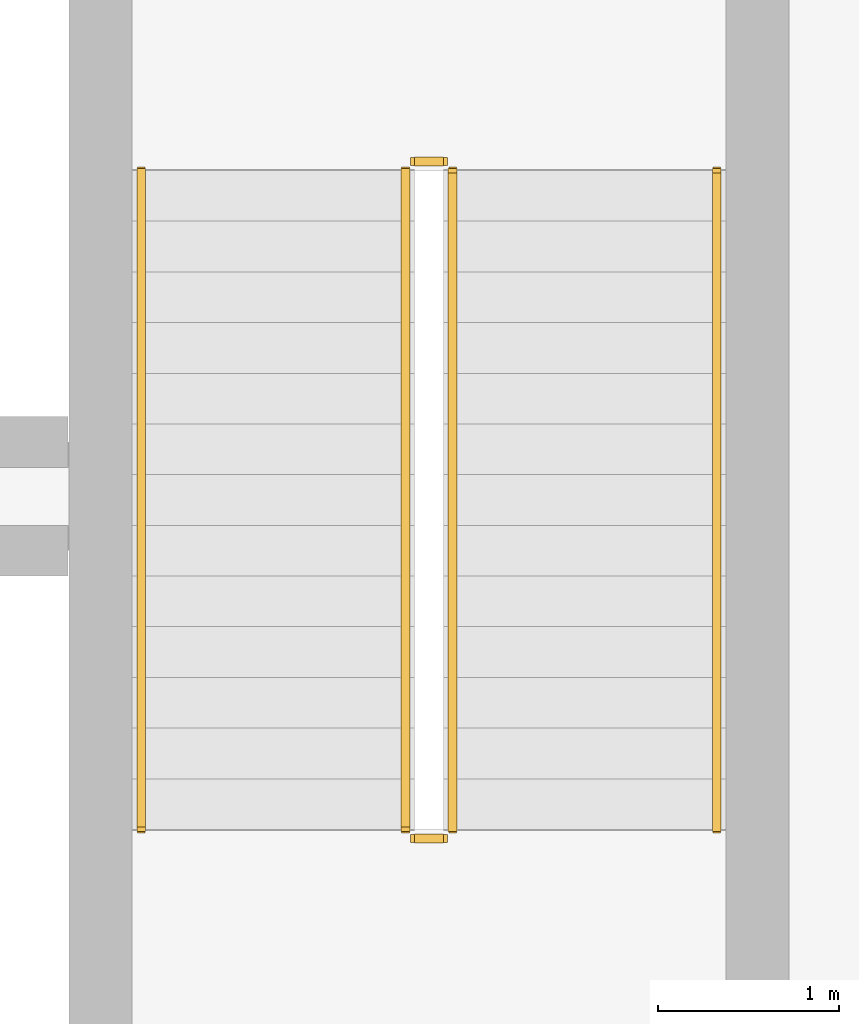
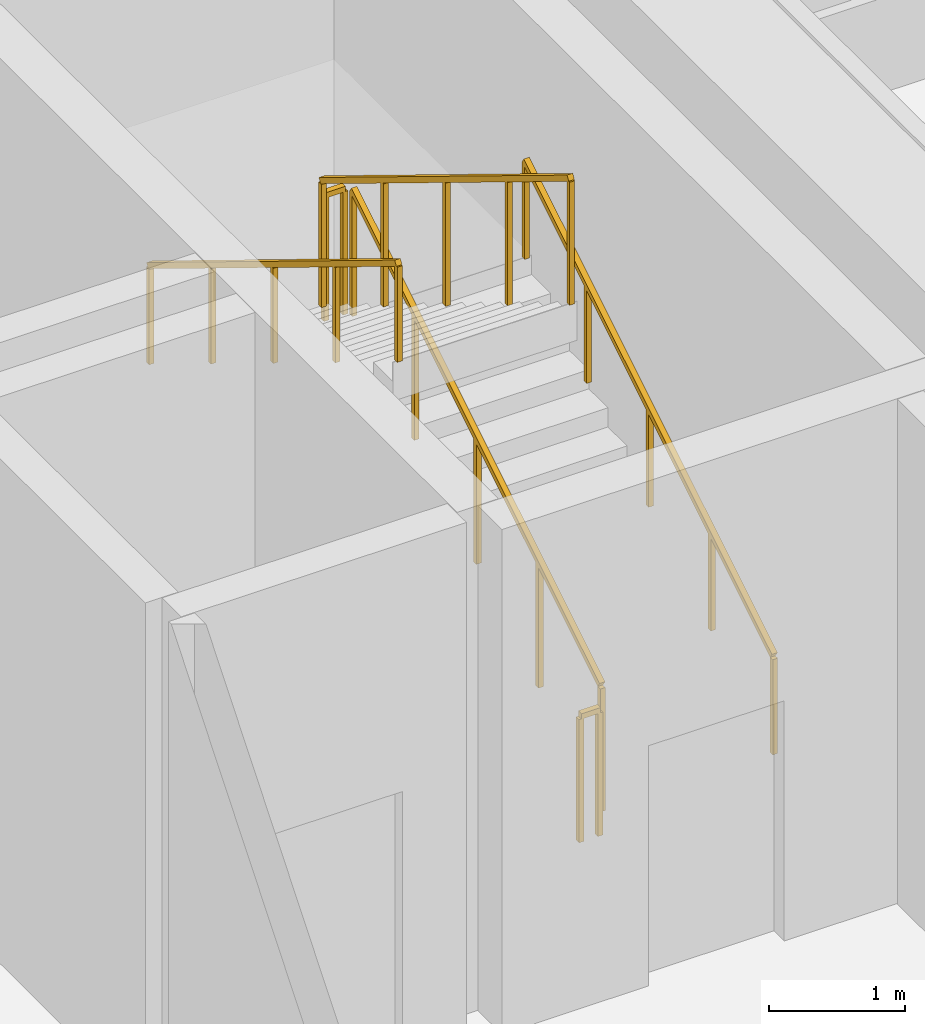
# One storey, part 36 of 37: 6 railings.
"""IFC4 building model written with IfcOpenShell, lengths in metres."""

from ifc_helpers import new_model, si_unit, direction, frame, origin, origin_2d, place, context, subcontext, project, spatial, rectangle, extrude, material, type_object, element, save


model = new_model("IFC4")

# Units and contexts
model_context = context("Model", 3, precision=1e-05, world=origin(), true_north=direction((0.0, 1.0)))
body_context = subcontext(model_context, "Body", "Model", "MODEL_VIEW")
ifc_project = project(units=[si_unit("LENGTHUNIT", "METRE"), si_unit("AREAUNIT", "SQUARE_METRE"), si_unit("VOLUMEUNIT", "CUBIC_METRE"), si_unit("PLANEANGLEUNIT", "RADIAN"), si_unit("MASSUNIT", "GRAM", prefix="KILO")], contexts=[model_context])

# Site, building, storey
site_placement = place(None, origin())
site = spatial("IfcSite", under=ifc_project, at=site_placement, CompositionType="ELEMENT")
building_placement = place(site_placement, origin())
building = spatial("IfcBuilding", under=site, at=building_placement, Name="Kaelvorn Grand Hotel", CompositionType="ELEMENT")
storey_placement = place(building_placement, frame((0.0, 0.0, 224.35009765625)))
storey = spatial("IfcBuildingStorey", under=building, at=storey_placement, Name="L55", CompositionType="ELEMENT", Elevation=224.35009765625)

# Railings
ifc_material = material(Name="Stainless Steel", Category="steel")
railing_type_1 = type_object("IfcRailingType", Name="RL-HANDRAIL-900", PredefinedType="HANDRAIL", material=ifc_material)
railing_1_placement = place(storey_placement, frame((66.550048828125, 41.760009765625, 0.17138671875)))
element("IfcRailing", 1, at=railing_1_placement, inside=storey, type_object=railing_type_1, Name="L55 ST3 stair handrail 1", PredefinedType="HANDRAIL", context=body_context, shape_type="SweptSolid", body=[
    extrude(rectangle(XDim=0.048095703125, YDim=0.048095703125, at=origin_2d()), frame((0.0, 0.0, 0.8759765625), z_axis=(0.0, 0.852850264322, 0.5221555579), x_axis=(-1.0, 0.0, 0.0)), (0.0, 0.0, 1.0), 4.267822265625),
    extrude(rectangle(XDim=0.0419921875, YDim=0.0419921875, at=origin_2d()), origin(), (0.0, 0.0, 1.0), 0.851806640625),
    extrude(rectangle(XDim=0.0419921875, YDim=0.0419921875, at=origin_2d()), frame((0.0, 0.909912109375, 0.55712890625)), (0.0, 0.0, 1.0), 0.851806640625),
    extrude(rectangle(XDim=0.0419921875, YDim=0.0419921875, at=origin_2d()), frame((0.0, 1.81982421875, 1.1142578125)), (0.0, 0.0, 1.0), 0.851806640625),
    extrude(rectangle(XDim=0.0419921875, YDim=0.0419921875, at=origin_2d()), frame((0.0, 2.72998046875, 1.67138671875)), (0.0, 0.0, 1.0), 0.851806640625),
    extrude(rectangle(XDim=0.0419921875, YDim=0.0419921875, at=origin_2d()), frame((0.0, 3.639892578125, 2.228515625)), (0.0, 0.0, 1.0), 0.851806640625),
])
railing_2_placement = place(storey_placement, frame((63.3701171875, 45.39990234375, 2.5712890625)))
element("IfcRailing", 2, at=railing_2_placement, inside=storey, type_object=railing_type_1, Name="L55 ST3 stair handrail 2", PredefinedType="HANDRAIL", context=body_context, shape_type="SweptSolid", body=[
    extrude(rectangle(XDim=0.048095703125, YDim=0.048095703125, at=origin_2d()), frame((0.0, 0.0, 0.8759765625), z_axis=(0.0, -0.852850264322, 0.5221555579), x_axis=(1.0, 0.0, 0.0)), (0.0, 0.0, 1.0), 4.267822265625),
    extrude(rectangle(XDim=0.0419921875, YDim=0.0419921875, at=origin_2d()), origin(), (0.0, 0.0, 1.0), 0.851806640625),
    extrude(rectangle(XDim=0.0419921875, YDim=0.0419921875, at=origin_2d()), frame((0.0, -0.909912109375, 0.55712890625)), (0.0, 0.0, 1.0), 0.851806640625),
    extrude(rectangle(XDim=0.0419921875, YDim=0.0419921875, at=origin_2d()), frame((0.0, -1.81982421875, 1.1142578125)), (0.0, 0.0, 1.0), 0.851806640625),
    extrude(rectangle(XDim=0.0419921875, YDim=0.0419921875, at=origin_2d()), frame((0.0, -2.72998046875, 1.67138671875)), (0.0, 0.0, 1.0), 0.851806640625),
    extrude(rectangle(XDim=0.0419921875, YDim=0.0419921875, at=origin_2d()), frame((0.0, -3.639892578125, 2.228515625)), (0.0, 0.0, 1.0), 0.851806640625),
])
railing_type_2 = type_object("IfcRailingType", Name="RL-STAIR-GUARD-1150", PredefinedType="BALUSTRADE", material=ifc_material)
railing_3_placement = place(storey_placement, frame((65.090087890625, 41.760009765625, 0.17138671875)))
element("IfcRailing", 3, at=railing_3_placement, inside=storey, type_object=railing_type_2, Name="L55 ST3 stair guard 1", PredefinedType="BALUSTRADE", context=body_context, shape_type="SweptSolid", body=[
    extrude(rectangle(XDim=0.048095703125, YDim=0.048095703125, at=origin_2d()), frame((0.0, 0.0, 1.1259765625), z_axis=(0.0, 0.852850264322, 0.5221555579), x_axis=(-1.0, 0.0, 0.0)), (0.0, 0.0, 1.0), 4.267822265625),
    extrude(rectangle(XDim=0.0419921875, YDim=0.0419921875, at=origin_2d()), origin(), (0.0, 0.0, 1.0), 1.101806640625),
    extrude(rectangle(XDim=0.0419921875, YDim=0.0419921875, at=origin_2d()), frame((0.0, 0.909912109375, 0.55712890625)), (0.0, 0.0, 1.0), 1.101806640625),
    extrude(rectangle(XDim=0.0419921875, YDim=0.0419921875, at=origin_2d()), frame((0.0, 1.81982421875, 1.1142578125)), (0.0, 0.0, 1.0), 1.101806640625),
    extrude(rectangle(XDim=0.0419921875, YDim=0.0419921875, at=origin_2d()), frame((0.0, 2.72998046875, 1.67138671875)), (0.0, 0.0, 1.0), 1.101806640625),
    extrude(rectangle(XDim=0.0419921875, YDim=0.0419921875, at=origin_2d()), frame((0.0, 3.639892578125, 2.228515625)), (0.0, 0.0, 1.0), 1.101806640625),
])
railing_4_placement = place(storey_placement, frame((65.0400390625, 45.449951171875, 2.39990234375)))
element("IfcRailing", 4, at=railing_4_placement, inside=storey, type_object=railing_type_2, Name="L55 ST3 stair guard 2", PredefinedType="BALUSTRADE", context=body_context, shape_type="SweptSolid", body=[
    extrude(rectangle(XDim=0.048095703125, YDim=0.048095703125, at=origin_2d()), frame((0.0, 0.0, 1.1259765625), z_axis=(-1.0, 0.0, 0.0), x_axis=(0.0, -1.0, 0.0)), (0.0, 0.0, 1.0), 0.16015625),
    extrude(rectangle(XDim=0.0419921875, YDim=0.0419921875, at=origin_2d()), origin(), (0.0, 0.0, 1.0), 1.101806640625),
    extrude(rectangle(XDim=0.0419921875, YDim=0.0419921875, at=origin_2d()), frame((-0.16015625, 0.0, 0.0)), (0.0, 0.0, 1.0), 1.101806640625),
])
railing_5_placement = place(storey_placement, frame((64.830078125, 45.39990234375, 2.5712890625)))
element("IfcRailing", 5, at=railing_5_placement, inside=storey, type_object=railing_type_2, Name="L55 ST3 stair guard 3", PredefinedType="BALUSTRADE", context=body_context, shape_type="SweptSolid", body=[
    extrude(rectangle(XDim=0.048095703125, YDim=0.048095703125, at=origin_2d()), frame((0.0, 0.0, 1.1259765625), z_axis=(0.0, -0.852850264322, 0.5221555579), x_axis=(1.0, 0.0, 0.0)), (0.0, 0.0, 1.0), 4.267822265625),
    extrude(rectangle(XDim=0.0419921875, YDim=0.0419921875, at=origin_2d()), origin(), (0.0, 0.0, 1.0), 1.101806640625),
    extrude(rectangle(XDim=0.0419921875, YDim=0.0419921875, at=origin_2d()), frame((0.0, -0.909912109375, 0.55712890625)), (0.0, 0.0, 1.0), 1.101806640625),
    extrude(rectangle(XDim=0.0419921875, YDim=0.0419921875, at=origin_2d()), frame((0.0, -1.81982421875, 1.1142578125)), (0.0, 0.0, 1.0), 1.101806640625),
    extrude(rectangle(XDim=0.0419921875, YDim=0.0419921875, at=origin_2d()), frame((0.0, -2.72998046875, 1.67138671875)), (0.0, 0.0, 1.0), 1.101806640625),
    extrude(rectangle(XDim=0.0419921875, YDim=0.0419921875, at=origin_2d()), frame((0.0, -3.639892578125, 2.228515625)), (0.0, 0.0, 1.0), 1.101806640625),
])
railing_6_placement = place(storey_placement, frame((65.0400390625, 41.7099609375, 0.0)))
element("IfcRailing", 6, at=railing_6_placement, inside=storey, type_object=railing_type_2, Name="L55 ST3 stair guard 4", PredefinedType="BALUSTRADE", context=body_context, shape_type="SweptSolid", body=[
    extrude(rectangle(XDim=0.048095703125, YDim=0.048095703125, at=origin_2d()), frame((0.0, 0.0, 1.1259765625), z_axis=(-1.0, 0.0, 0.0), x_axis=(0.0, -1.0, 0.0)), (0.0, 0.0, 1.0), 0.16015625),
    extrude(rectangle(XDim=0.0419921875, YDim=0.0419921875, at=origin_2d()), origin(), (0.0, 0.0, 1.0), 1.101806640625),
    extrude(rectangle(XDim=0.0419921875, YDim=0.0419921875, at=origin_2d()), frame((-0.16015625, 0.0, 0.0)), (0.0, 0.0, 1.0), 1.101806640625),
])

save(model, "model.ifc")
